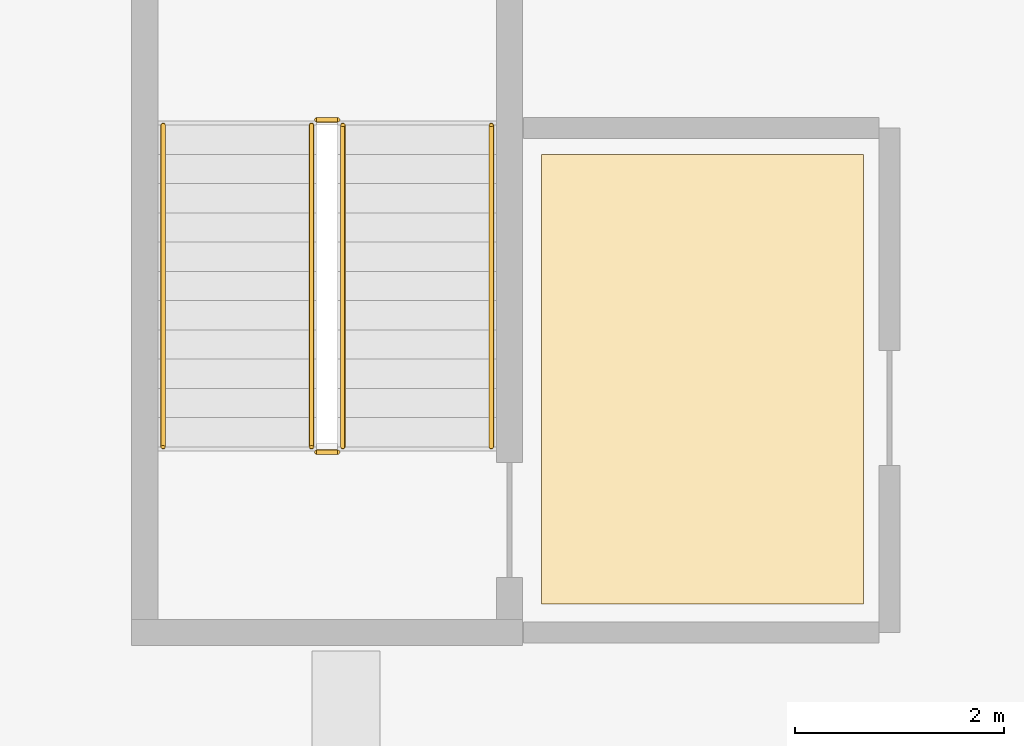
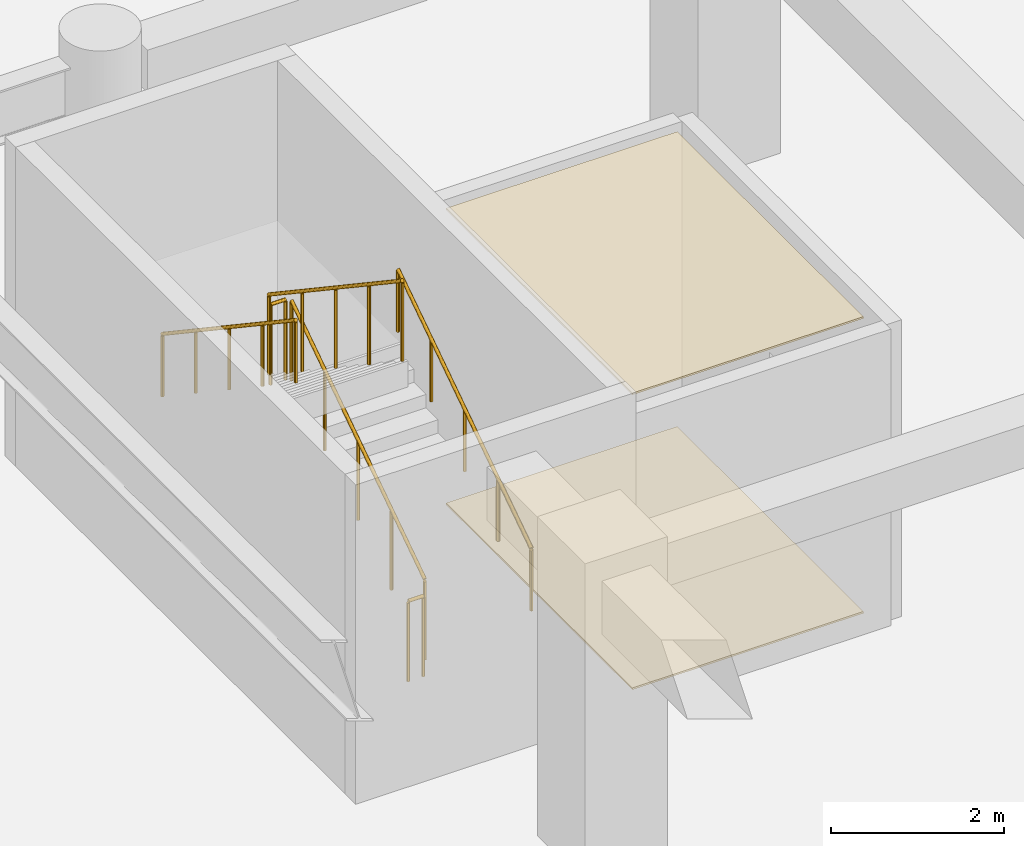
# One storey, part 37 of 40: 6 railings, 2 coverings.
"""IFC4 building model written with IfcOpenShell, lengths in metres."""

from ifc_helpers import new_model, si_unit, direction, frame, origin, origin_2d, place, context, subcontext, project, spatial, polyline, circle, outline, extrude, material, layer, layer_set, type_object, element, save


model = new_model("IFC4")

# Units and contexts
model_context = context("Model", 3, precision=1e-05, world=origin(), true_north=direction((0.0, 1.0)))
body_context = subcontext(model_context, "Body", "Model", "MODEL_VIEW")
ifc_project = project(units=[si_unit("LENGTHUNIT", "METRE"), si_unit("AREAUNIT", "SQUARE_METRE"), si_unit("VOLUMEUNIT", "CUBIC_METRE"), si_unit("PLANEANGLEUNIT", "RADIAN"), si_unit("MASSUNIT", "GRAM", prefix="KILO")], contexts=[model_context])

# Site, building, storey
site_placement = place(None, origin())
site = spatial("IfcSite", under=ifc_project, at=site_placement, CompositionType="ELEMENT")
building_placement = place(site_placement, origin())
building = spatial("IfcBuilding", under=site, at=building_placement, Name="Korimba Cascade Residences", CompositionType="ELEMENT")
storey_placement = place(building_placement, frame((0.0, 0.0, 14.5)))
storey = spatial("IfcBuildingStorey", under=building, at=storey_placement, Name="L03", CompositionType="ELEMENT", Elevation=14.5)

# Coverings
ifc_material_1 = material(Name="Perforated Acoustic Gypsum Ceiling", Category="gypsum")
ifc_layer_1 = layer(ifc_material_1, 0.02490234375)
ifc_layer_set_1 = layer_set([ifc_layer_1], Name="Perforated Acoustic Gypsum Ceiling")
covering_type_1 = type_object("IfcCoveringType", Name="COV-CLG-AC", PredefinedType="CEILING", material=ifc_layer_set_1)
covering_1_placement = place(storey_placement, frame((0.0, 0.0, 4.155029296875)))
element("IfcCovering", 1, at=covering_1_placement, inside=storey, type_object=covering_type_1, Name="L03 Suspended Acoustic Ceiling L03-PL5", PredefinedType="CEILING", context=body_context, shape_type="SweptSolid", body=[
    extrude(outline(polyline([(61.669921875, 82.14990234375), (64.75, 82.14990234375), (64.75, 86.449951171875), (61.669921875, 86.449951171875), (61.669921875, 82.14990234375)])), origin(), (0.0, 0.0, 1.0), 0.02490234375),
])
ifc_material_2 = material(Name="Honed Travertine Stone Flooring", Category="masonry")
ifc_layer_2 = layer(ifc_material_2, 0.02490234375)
ifc_layer_set_2 = layer_set([ifc_layer_2], Name="Honed Travertine Stone Flooring")
covering_type_2 = type_object("IfcCoveringType", Name="COV-FLR-STN", PredefinedType="FLOORING", material=ifc_layer_set_2)
covering_2_placement = place(storey_placement, origin())
element("IfcCovering", 2, at=covering_2_placement, inside=storey, type_object=covering_type_2, Name="L03 Honed Travertine Stone Flooring L03-PL5", PredefinedType="FLOORING", context=body_context, shape_type="SweptSolid", body=[
    extrude(outline(polyline([(61.669921875, 82.14990234375), (64.75, 82.14990234375), (64.75, 86.449951171875), (61.669921875, 86.449951171875), (61.669921875, 82.14990234375)])), origin(), (0.0, 0.0, 1.0), 0.02490234375),
])

# Railings
ifc_material_3 = material(Name="Painted Steel Stairwell Guardrail", Category="steel")
railing_type_1 = type_object("IfcRailingType", Name="RLG-ST-GD1150", PredefinedType="GUARDRAIL", material=ifc_material_3)
railing_1_placement = place(storey_placement, frame((59.77001953125, 83.64990234375, 0.1875)))
element("IfcRailing", 3, at=railing_1_placement, inside=storey, type_object=railing_type_1, Name="L03 ST-P5 stair guard 1", PredefinedType="GUARDRAIL", context=body_context, shape_type="SweptSolid", body=[
    extrude(circle(Radius=0.02392578125, at=origin_2d()), frame((0.0, 0.0, 1.1259765625), z_axis=(0.0, 0.830913701846, 0.55640131208), x_axis=(-1.0, 0.0, 0.0)), (0.0, 0.0, 1.0), 3.706787109375),
    extrude(circle(Radius=0.02099609375, at=origin_2d()), origin(), (0.0, 0.0, 1.0), 1.101806640625),
    extrude(circle(Radius=0.02099609375, at=origin_2d()), frame((0.0, 0.77001953125, 0.515625)), (0.0, 0.0, 1.0), 1.101806640625),
    extrude(circle(Radius=0.02099609375, at=origin_2d()), frame((0.0, 1.5400390625, 1.03125)), (0.0, 0.0, 1.0), 1.101806640625),
    extrude(circle(Radius=0.02099609375, at=origin_2d()), frame((0.0, 2.31005859375, 1.546875)), (0.0, 0.0, 1.0), 1.101806640625),
    extrude(circle(Radius=0.02099609375, at=origin_2d()), frame((0.0, 3.080078125, 2.0625)), (0.0, 0.0, 1.0), 1.101806640625),
])
railing_2_placement = place(storey_placement, frame((59.719970703125, 86.780029296875, 2.25)))
element("IfcRailing", 4, at=railing_2_placement, inside=storey, type_object=railing_type_1, Name="L03 ST-P5 stair guard 2", PredefinedType="GUARDRAIL", context=body_context, shape_type="SweptSolid", body=[
    extrude(circle(Radius=0.02392578125, at=origin_2d()), frame((0.0, 0.0, 1.1259765625), z_axis=(-1.0, 0.0, 0.0), x_axis=(0.0, -1.0, 0.0)), (0.0, 0.0, 1.0), 0.199951171875),
    extrude(circle(Radius=0.02099609375, at=origin_2d()), origin(), (0.0, 0.0, 1.0), 1.101806640625),
    extrude(circle(Radius=0.02099609375, at=origin_2d()), frame((-0.199951171875, 0.0, 0.0)), (0.0, 0.0, 1.0), 1.101806640625),
])
railing_3_placement = place(storey_placement, frame((59.469970703125, 86.72998046875, 2.4375)))
element("IfcRailing", 5, at=railing_3_placement, inside=storey, type_object=railing_type_1, Name="L03 ST-P5 stair guard 3", PredefinedType="GUARDRAIL", context=body_context, shape_type="SweptSolid", body=[
    extrude(circle(Radius=0.02392578125, at=origin_2d()), frame((0.0, 0.0, 1.1259765625), z_axis=(0.0, -0.830913701846, 0.55640131208), x_axis=(1.0, 0.0, 0.0)), (0.0, 0.0, 1.0), 3.706787109375),
    extrude(circle(Radius=0.02099609375, at=origin_2d()), origin(), (0.0, 0.0, 1.0), 1.101806640625),
    extrude(circle(Radius=0.02099609375, at=origin_2d()), frame((0.0, -0.77001953125, 0.515625)), (0.0, 0.0, 1.0), 1.101806640625),
    extrude(circle(Radius=0.02099609375, at=origin_2d()), frame((0.0, -1.5400390625, 1.03125)), (0.0, 0.0, 1.0), 1.101806640625),
    extrude(circle(Radius=0.02099609375, at=origin_2d()), frame((0.0, -2.31005859375, 1.546875)), (0.0, 0.0, 1.0), 1.101806640625),
    extrude(circle(Radius=0.02099609375, at=origin_2d()), frame((0.0, -3.080078125, 2.0625)), (0.0, 0.0, 1.0), 1.101806640625),
])
railing_4_placement = place(storey_placement, frame((59.719970703125, 83.60009765625, 0.0)))
element("IfcRailing", 6, at=railing_4_placement, inside=storey, type_object=railing_type_1, Name="L03 ST-P5 stair guard 4", PredefinedType="GUARDRAIL", context=body_context, shape_type="SweptSolid", body=[
    extrude(circle(Radius=0.02392578125, at=origin_2d()), frame((0.0, 0.0, 1.1259765625), z_axis=(-1.0, 0.0, 0.0), x_axis=(0.0, -1.0, 0.0)), (0.0, 0.0, 1.0), 0.199951171875),
    extrude(circle(Radius=0.02099609375, at=origin_2d()), origin(), (0.0, 0.0, 1.0), 1.101806640625),
    extrude(circle(Radius=0.02099609375, at=origin_2d()), frame((-0.199951171875, 0.0, 0.0)), (0.0, 0.0, 1.0), 1.101806640625),
])
ifc_material_4 = material(Name="Brushed Stainless Steel Handrail", Category="steel")
railing_type_2 = type_object("IfcRailingType", Name="RLG-ST-HR900", PredefinedType="HANDRAIL", material=ifc_material_4)
railing_5_placement = place(storey_placement, frame((61.18994140625, 83.64990234375, 0.379150390625)))
element("IfcRailing", 7, at=railing_5_placement, inside=storey, type_object=railing_type_2, Name="L03 ST-P5 stair handrail 1", PredefinedType="HANDRAIL", context=body_context, shape_type="SweptSolid", body=[
    extrude(circle(Radius=0.02392578125, at=origin_2d()), frame((0.0, 0.0, 0.8759765625), z_axis=(0.0, 0.830913701846, 0.55640131208), x_axis=(-1.0, 0.0, 0.0)), (0.0, 0.0, 1.0), 3.706787109375),
    extrude(circle(Radius=0.02099609375, at=origin_2d()), origin(), (0.0, 0.0, 1.0), 0.851806640625),
    extrude(circle(Radius=0.02099609375, at=origin_2d()), frame((0.0, 0.77001953125, 0.515625)), (0.0, 0.0, 1.0), 0.851806640625),
    extrude(circle(Radius=0.02099609375, at=origin_2d()), frame((0.0, 1.5400390625, 1.03125)), (0.0, 0.0, 1.0), 0.851806640625),
    extrude(circle(Radius=0.02099609375, at=origin_2d()), frame((0.0, 2.31005859375, 1.546875)), (0.0, 0.0, 1.0), 0.851806640625),
    extrude(circle(Radius=0.02099609375, at=origin_2d()), frame((0.0, 3.080078125, 2.0625)), (0.0, 0.0, 1.0), 0.851806640625),
])
railing_6_placement = place(storey_placement, frame((58.050048828125, 86.72998046875, 2.629150390625)))
element("IfcRailing", 8, at=railing_6_placement, inside=storey, type_object=railing_type_2, Name="L03 ST-P5 stair handrail 2", PredefinedType="HANDRAIL", context=body_context, shape_type="SweptSolid", body=[
    extrude(circle(Radius=0.02392578125, at=origin_2d()), frame((0.0, 0.0, 0.8759765625), z_axis=(0.0, -0.830913701846, 0.55640131208), x_axis=(1.0, 0.0, 0.0)), (0.0, 0.0, 1.0), 3.706787109375),
    extrude(circle(Radius=0.02099609375, at=origin_2d()), origin(), (0.0, 0.0, 1.0), 0.851806640625),
    extrude(circle(Radius=0.02099609375, at=origin_2d()), frame((0.0, -0.77001953125, 0.515625)), (0.0, 0.0, 1.0), 0.851806640625),
    extrude(circle(Radius=0.02099609375, at=origin_2d()), frame((0.0, -1.5400390625, 1.03125)), (0.0, 0.0, 1.0), 0.851806640625),
    extrude(circle(Radius=0.02099609375, at=origin_2d()), frame((0.0, -2.31005859375, 1.546875)), (0.0, 0.0, 1.0), 0.851806640625),
    extrude(circle(Radius=0.02099609375, at=origin_2d()), frame((0.0, -3.080078125, 2.0625)), (0.0, 0.0, 1.0), 0.851806640625),
])

save(model, "model.ifc")
